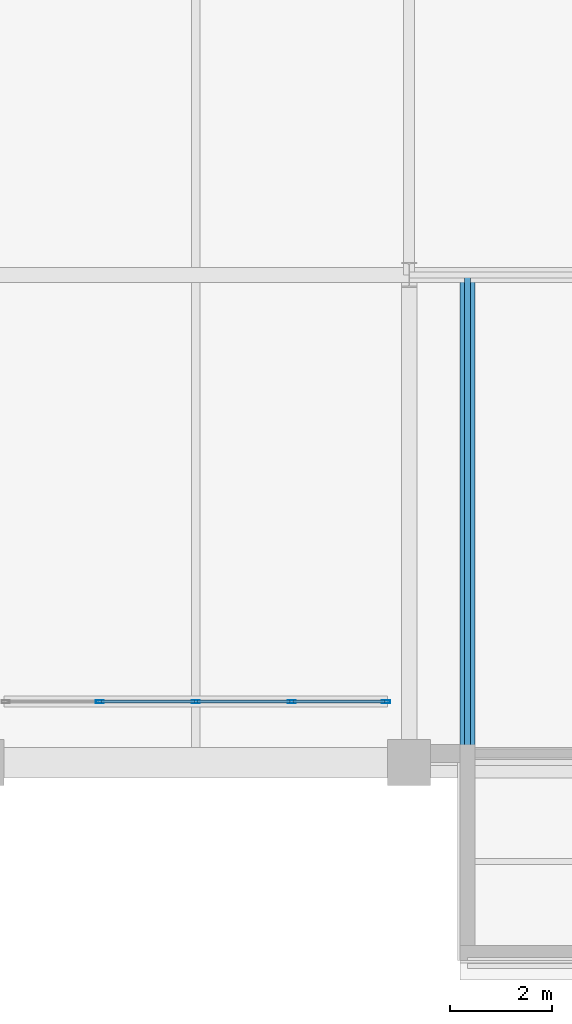
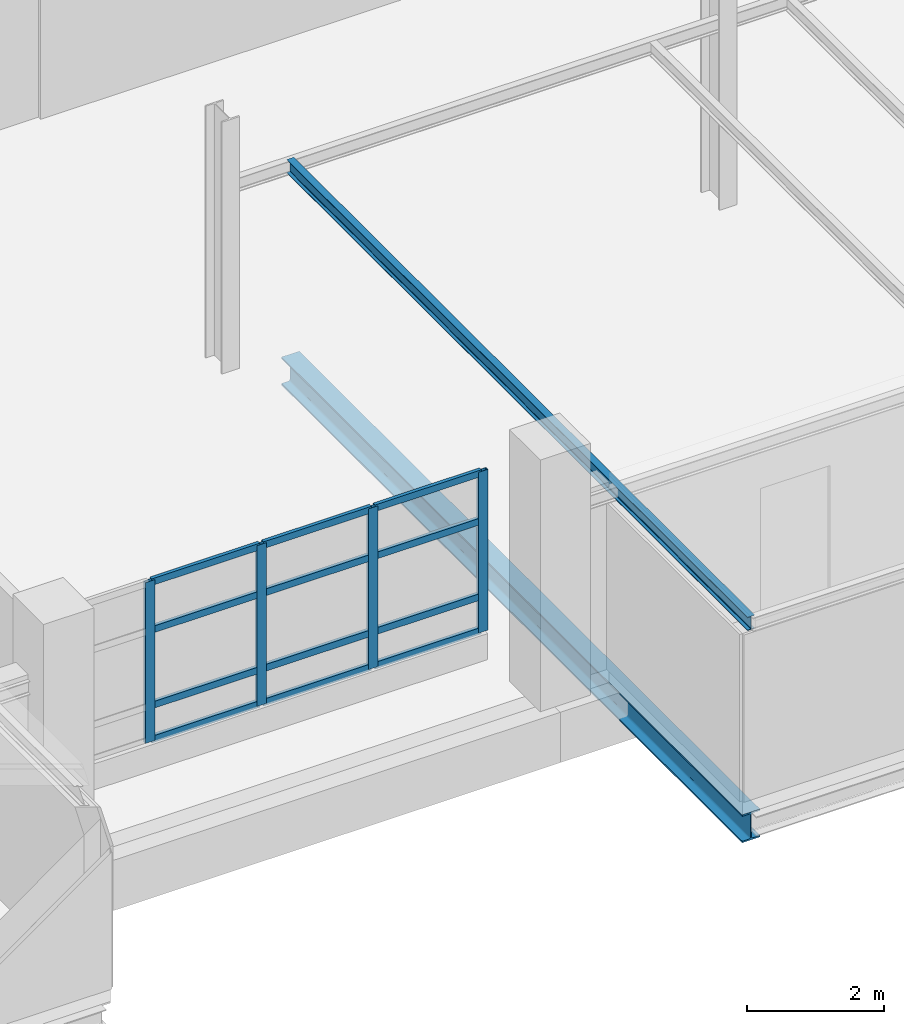
# One storey, part 34 of 109: 16 members, 2 beams, 1 element without a shape of its own.
"""IFC4 building model written with IfcOpenShell, lengths in metres."""

from ifc_helpers import new_model, si_unit, direction, frame, origin, origin_2d, place, context, subcontext, project, spatial, hollow_rectangle, i_section, extrude, material, material_profile, profile_set, type_object, element, aggregate, save


model = new_model("IFC4")

# Units and contexts
model_context = context("Model", 3, precision=1e-05, world=origin(), true_north=direction((0.0, 1.0)))
body_context = subcontext(model_context, "Body", "Model", "MODEL_VIEW")
ifc_project = project(units=[si_unit("LENGTHUNIT", "METRE"), si_unit("AREAUNIT", "SQUARE_METRE"), si_unit("VOLUMEUNIT", "CUBIC_METRE"), si_unit("PLANEANGLEUNIT", "RADIAN"), si_unit("MASSUNIT", "GRAM", prefix="KILO")], contexts=[model_context])

# Site, building, storey
site_placement = place(None, origin())
site = spatial("IfcSite", under=ifc_project, at=site_placement, CompositionType="ELEMENT")
building_placement = place(site_placement, origin())
building = spatial("IfcBuilding", under=site, at=building_placement, Name="Veltarok Museum of Natural Sciences", CompositionType="ELEMENT")
storey_placement = place(building_placement, frame((0.0, 0.0, 17.39990234375)))
storey = spatial("IfcBuildingStorey", under=building, at=storey_placement, Name="L03", CompositionType="ELEMENT", Elevation=17.39990234375)

# Beams
ifc_material_1 = material(Name="Steel S355J2", Category="steel")
ifc_material_profile_1 = material_profile(ifc_material_1, i_section(OverallWidth=0.300048828125, OverallDepth=0.5, WebThickness=0.014404296875, FlangeThickness=0.028076171875, FilletRadius=0.027099609375, at=origin_2d()), Name="HEB 500")
ifc_profile_set_1 = profile_set([ifc_material_profile_1], Name="Steel S355J2")
beam_type_1 = type_object("IfcBeamType", Name="Cabinet Box Cantilever Girder HEB 500", PredefinedType="BEAM", material=ifc_profile_set_1)
beam_1_placement = place(storey_placement, frame((74.75, -3.89990234375, -0.5), z_axis=(0.0, 1.0, 0.0), x_axis=(-1.0, 0.0, 0.0)))
element("IfcBeam", 1, at=beam_1_placement, inside=storey, type_object=beam_type_1, Name="Cabinet Cantilever Girder DB-16-1", PredefinedType="BEAM", context=body_context, shape_type="SweptSolid", body=[
    extrude(i_section(OverallWidth=0.300048828125, OverallDepth=0.5, WebThickness=0.014404296875, FlangeThickness=0.028076171875, FilletRadius=0.027099609375, at=origin_2d()), origin(), (0.0, 0.0, 1.0), 13.5),
])
ifc_material_profile_2 = material_profile(ifc_material_1, i_section(OverallWidth=0.1201171875, OverallDepth=0.239990234375, WebThickness=0.006103515625, FlangeThickness=0.009765625, FilletRadius=0.014892578125, at=origin_2d()), Name="IPE 240")
ifc_profile_set_2 = profile_set([ifc_material_profile_2], Name="Steel S355J2")
beam_type_2 = type_object("IfcBeamType", Name="Cabinet Box Secondary Joist IPE 240", PredefinedType="JOIST", material=ifc_profile_set_2)
beam_2_placement = place(storey_placement, frame((74.75, -3.89990234375, 3.130126953125), z_axis=(0.0, 1.0, 0.0), x_axis=(-1.0, 0.0, 0.0)))
element("IfcBeam", 2, at=beam_2_placement, inside=storey, type_object=beam_type_2, Name="Cabinet Roof Rafter DB-16-1", PredefinedType="JOIST", context=body_context, shape_type="SweptSolid", body=[
    extrude(i_section(OverallWidth=0.1201171875, OverallDepth=0.239990234375, WebThickness=0.006103515625, FlangeThickness=0.009765625, FilletRadius=0.014892578125, at=origin_2d()), origin(), (0.0, 0.0, 1.0), 13.5),
])

# Curtain wall, members
ifc_material_2 = material(Name="Low-iron triple insulated glass", Category="glass")
curtain_wall_type = type_object("IfcCurtainWallType", Name="Curtain Wall System CW-CAB-L03-A-755x288 (V1 Recessed L03 755x288cm)", PredefinedType="NOTDEFINED", material=ifc_material_2)
curtain_wall_placement = place(storey_placement, origin())
curtain_wall = element("IfcCurtainWall", 3, at=curtain_wall_placement, inside=storey, type_object=curtain_wall_type, Name="Curtain Wall CW-CAB-L03-A-755x288 CW-0005", PredefinedType="NOTDEFINED")
ifc_material_3 = material(Name="Thermally broken anodised aluminium", Category="aluminium")
ifc_material_profile_3 = material_profile(ifc_material_3, hollow_rectangle(XDim=0.06005859375, YDim=0.1201171875, WallThickness=0.0048828125, at=origin_2d()), Name="CW TRANSOM 60x120x5")
ifc_profile_set_3 = profile_set([ifc_material_profile_3], Name="Thermally broken anodised aluminium")
member_type_1 = type_object("IfcMemberType", Name="Curtain Wall Horizontal Transom 60x120x5", PredefinedType="USERDEFINED", material=ifc_profile_set_3)
member_1_placement = place(storey_placement, frame((67.54248046875, 1.199951171875, 0.489990234375), z_axis=(1.0, 0.0, 0.0), x_axis=(0.0, 1.0, 0.0)))
member_1 = element("IfcMember", 4, at=member_1_placement, type_object=member_type_1, Name="CW-CAB-L03-A-755x288 transom 2.1", ObjectType="TRANSOM", PredefinedType="USERDEFINED", context=body_context, shape_type="SweptSolid", body=[
    extrude(hollow_rectangle(XDim=0.06005859375, YDim=0.1201171875, WallThickness=0.0048828125, at=origin_2d()), origin(), (0.0, 0.0, 1.0), 1.82763671875),
])
member_2_placement = place(storey_placement, frame((67.54248046875, 1.199951171875, 1.10009765625), z_axis=(1.0, 0.0, 0.0), x_axis=(0.0, 1.0, 0.0)))
member_2 = element("IfcMember", 5, at=member_2_placement, type_object=member_type_1, Name="CW-CAB-L03-A-755x288 transom 2.2", ObjectType="TRANSOM", PredefinedType="USERDEFINED", context=body_context, shape_type="SweptSolid", body=[
    extrude(hollow_rectangle(XDim=0.06005859375, YDim=0.1201171875, WallThickness=0.0048828125, at=origin_2d()), origin(), (0.0, 0.0, 1.0), 1.82763671875),
])
member_3_placement = place(storey_placement, frame((67.54248046875, 1.199951171875, 2.4501953125), z_axis=(1.0, 0.0, 0.0), x_axis=(0.0, 1.0, 0.0)))
member_3 = element("IfcMember", 6, at=member_3_placement, type_object=member_type_1, Name="CW-CAB-L03-A-755x288 transom 2.3", ObjectType="TRANSOM", PredefinedType="USERDEFINED", context=body_context, shape_type="SweptSolid", body=[
    extrude(hollow_rectangle(XDim=0.06005859375, YDim=0.1201171875, WallThickness=0.0048828125, at=origin_2d()), origin(), (0.0, 0.0, 1.0), 1.82763671875),
])
member_4_placement = place(storey_placement, frame((67.54248046875, 1.199951171875, 3.30517578125), z_axis=(1.0, 0.0, 0.0), x_axis=(0.0, 1.0, 0.0)))
member_4 = element("IfcMember", 7, at=member_4_placement, type_object=member_type_1, Name="CW-CAB-L03-A-755x288 transom 2.4", ObjectType="TRANSOM", PredefinedType="USERDEFINED", context=body_context, shape_type="SweptSolid", body=[
    extrude(hollow_rectangle(XDim=0.06005859375, YDim=0.1201171875, WallThickness=0.0048828125, at=origin_2d()), origin(), (0.0, 0.0, 1.0), 1.82763671875),
])
member_5_placement = place(storey_placement, frame((69.429931640625, 1.199951171875, 0.489990234375), z_axis=(1.0, 0.0, 0.0), x_axis=(0.0, 1.0, 0.0)))
member_5 = element("IfcMember", 8, at=member_5_placement, type_object=member_type_1, Name="CW-CAB-L03-A-755x288 transom 3.1", ObjectType="TRANSOM", PredefinedType="USERDEFINED", context=body_context, shape_type="SweptSolid", body=[
    extrude(hollow_rectangle(XDim=0.06005859375, YDim=0.1201171875, WallThickness=0.0048828125, at=origin_2d()), origin(), (0.0, 0.0, 1.0), 1.82763671875),
])
member_6_placement = place(storey_placement, frame((69.429931640625, 1.199951171875, 1.10009765625), z_axis=(1.0, 0.0, 0.0), x_axis=(0.0, 1.0, 0.0)))
member_6 = element("IfcMember", 9, at=member_6_placement, type_object=member_type_1, Name="CW-CAB-L03-A-755x288 transom 3.2", ObjectType="TRANSOM", PredefinedType="USERDEFINED", context=body_context, shape_type="SweptSolid", body=[
    extrude(hollow_rectangle(XDim=0.06005859375, YDim=0.1201171875, WallThickness=0.0048828125, at=origin_2d()), origin(), (0.0, 0.0, 1.0), 1.82763671875),
])
member_7_placement = place(storey_placement, frame((69.429931640625, 1.199951171875, 2.4501953125), z_axis=(1.0, 0.0, 0.0), x_axis=(0.0, 1.0, 0.0)))
member_7 = element("IfcMember", 10, at=member_7_placement, type_object=member_type_1, Name="CW-CAB-L03-A-755x288 transom 3.3", ObjectType="TRANSOM", PredefinedType="USERDEFINED", context=body_context, shape_type="SweptSolid", body=[
    extrude(hollow_rectangle(XDim=0.06005859375, YDim=0.1201171875, WallThickness=0.0048828125, at=origin_2d()), origin(), (0.0, 0.0, 1.0), 1.82763671875),
])
member_8_placement = place(storey_placement, frame((69.429931640625, 1.199951171875, 3.30517578125), z_axis=(1.0, 0.0, 0.0), x_axis=(0.0, 1.0, 0.0)))
member_8 = element("IfcMember", 11, at=member_8_placement, type_object=member_type_1, Name="CW-CAB-L03-A-755x288 transom 3.4", ObjectType="TRANSOM", PredefinedType="USERDEFINED", context=body_context, shape_type="SweptSolid", body=[
    extrude(hollow_rectangle(XDim=0.06005859375, YDim=0.1201171875, WallThickness=0.0048828125, at=origin_2d()), origin(), (0.0, 0.0, 1.0), 1.82763671875),
])
member_9_placement = place(storey_placement, frame((71.3173828125, 1.199951171875, 0.489990234375), z_axis=(1.0, 0.0, 0.0), x_axis=(0.0, 1.0, 0.0)))
member_9 = element("IfcMember", 12, at=member_9_placement, type_object=member_type_1, Name="CW-CAB-L03-A-755x288 transom 4.1", ObjectType="TRANSOM", PredefinedType="USERDEFINED", context=body_context, shape_type="SweptSolid", body=[
    extrude(hollow_rectangle(XDim=0.06005859375, YDim=0.1201171875, WallThickness=0.0048828125, at=origin_2d()), origin(), (0.0, 0.0, 1.0), 1.797607421875),
])
member_10_placement = place(storey_placement, frame((71.3173828125, 1.199951171875, 1.10009765625), z_axis=(1.0, 0.0, 0.0), x_axis=(0.0, 1.0, 0.0)))
member_10 = element("IfcMember", 13, at=member_10_placement, type_object=member_type_1, Name="CW-CAB-L03-A-755x288 transom 4.2", ObjectType="TRANSOM", PredefinedType="USERDEFINED", context=body_context, shape_type="SweptSolid", body=[
    extrude(hollow_rectangle(XDim=0.06005859375, YDim=0.1201171875, WallThickness=0.0048828125, at=origin_2d()), origin(), (0.0, 0.0, 1.0), 1.797607421875),
])
member_11_placement = place(storey_placement, frame((71.3173828125, 1.199951171875, 2.4501953125), z_axis=(1.0, 0.0, 0.0), x_axis=(0.0, 1.0, 0.0)))
member_11 = element("IfcMember", 14, at=member_11_placement, type_object=member_type_1, Name="CW-CAB-L03-A-755x288 transom 4.3", ObjectType="TRANSOM", PredefinedType="USERDEFINED", context=body_context, shape_type="SweptSolid", body=[
    extrude(hollow_rectangle(XDim=0.06005859375, YDim=0.1201171875, WallThickness=0.0048828125, at=origin_2d()), origin(), (0.0, 0.0, 1.0), 1.797607421875),
])
member_12_placement = place(storey_placement, frame((71.3173828125, 1.199951171875, 3.30517578125), z_axis=(1.0, 0.0, 0.0), x_axis=(0.0, 1.0, 0.0)))
member_12 = element("IfcMember", 15, at=member_12_placement, type_object=member_type_1, Name="CW-CAB-L03-A-755x288 transom 4.4", ObjectType="TRANSOM", PredefinedType="USERDEFINED", context=body_context, shape_type="SweptSolid", body=[
    extrude(hollow_rectangle(XDim=0.06005859375, YDim=0.1201171875, WallThickness=0.0048828125, at=origin_2d()), origin(), (0.0, 0.0, 1.0), 1.797607421875),
])
ifc_material_profile_4 = material_profile(ifc_material_3, hollow_rectangle(XDim=0.06005859375, YDim=0.159912109375, WallThickness=0.0048828125, at=origin_2d()), Name="CW MULLION 60x160x5")
ifc_profile_set_4 = profile_set([ifc_material_profile_4], Name="Thermally broken anodised aluminium")
member_type_2 = type_object("IfcMemberType", Name="Curtain Wall Vertical Mullion 60x160x5", PredefinedType="MULLION", material=ifc_profile_set_4)
member_13_placement = place(storey_placement, frame((67.512451171875, 1.199951171875, 0.460205078125), z_axis=(0.0, 0.0, 1.0), x_axis=(0.0, 1.0, 0.0)))
member_13 = element("IfcMember", 16, at=member_13_placement, type_object=member_type_2, Name="CW-CAB-L03-A-755x288 mullion 2", PredefinedType="MULLION", context=body_context, shape_type="SweptSolid", body=[
    extrude(hollow_rectangle(XDim=0.06005859375, YDim=0.159912109375, WallThickness=0.0048828125, at=origin_2d()), origin(), (0.0, 0.0, 1.0), 2.875),
])
member_14_placement = place(storey_placement, frame((69.39990234375, 1.199951171875, 0.460205078125), z_axis=(0.0, 0.0, 1.0), x_axis=(0.0, 1.0, 0.0)))
member_14 = element("IfcMember", 17, at=member_14_placement, type_object=member_type_2, Name="CW-CAB-L03-A-755x288 mullion 3", PredefinedType="MULLION", context=body_context, shape_type="SweptSolid", body=[
    extrude(hollow_rectangle(XDim=0.06005859375, YDim=0.159912109375, WallThickness=0.0048828125, at=origin_2d()), origin(), (0.0, 0.0, 1.0), 2.875),
])
member_15_placement = place(storey_placement, frame((71.28759765625, 1.199951171875, 0.460205078125), z_axis=(0.0, 0.0, 1.0), x_axis=(0.0, 1.0, 0.0)))
member_15 = element("IfcMember", 18, at=member_15_placement, type_object=member_type_2, Name="CW-CAB-L03-A-755x288 mullion 4", PredefinedType="MULLION", context=body_context, shape_type="SweptSolid", body=[
    extrude(hollow_rectangle(XDim=0.06005859375, YDim=0.159912109375, WallThickness=0.0048828125, at=origin_2d()), origin(), (0.0, 0.0, 1.0), 2.875),
])
member_16_placement = place(storey_placement, frame((73.14501953125, 1.199951171875, 0.460205078125), z_axis=(0.0, 0.0, 1.0), x_axis=(0.0, 1.0, 0.0)))
member_16 = element("IfcMember", 19, at=member_16_placement, type_object=member_type_2, Name="CW-CAB-L03-A-755x288 mullion 5", PredefinedType="MULLION", context=body_context, shape_type="SweptSolid", body=[
    extrude(hollow_rectangle(XDim=0.06005859375, YDim=0.159912109375, WallThickness=0.0048828125, at=origin_2d()), origin(), (0.0, 0.0, 1.0), 2.875),
])
aggregate(curtain_wall, [member_13, member_14, member_15, member_16, member_1, member_2, member_3, member_4, member_5, member_6, member_7, member_8, member_9, member_10, member_11, member_12])

save(model, "model.ifc")
